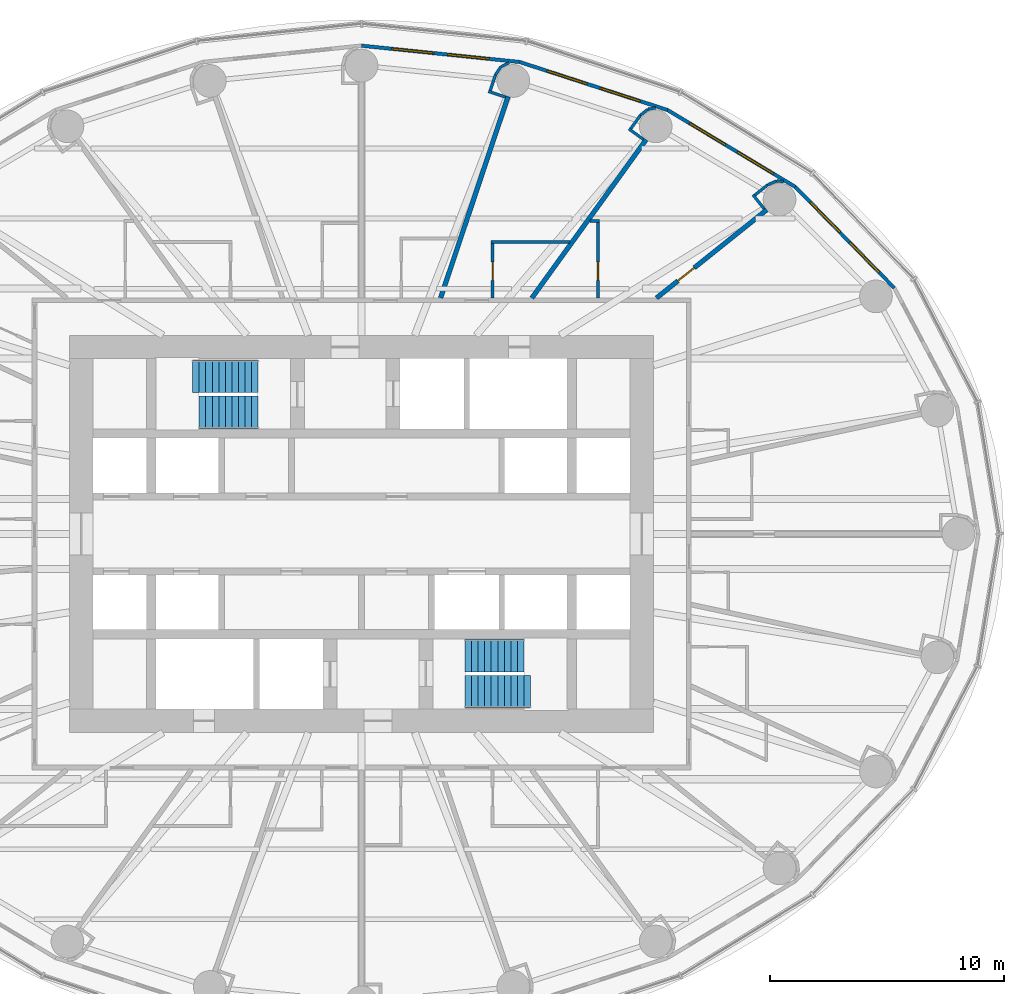
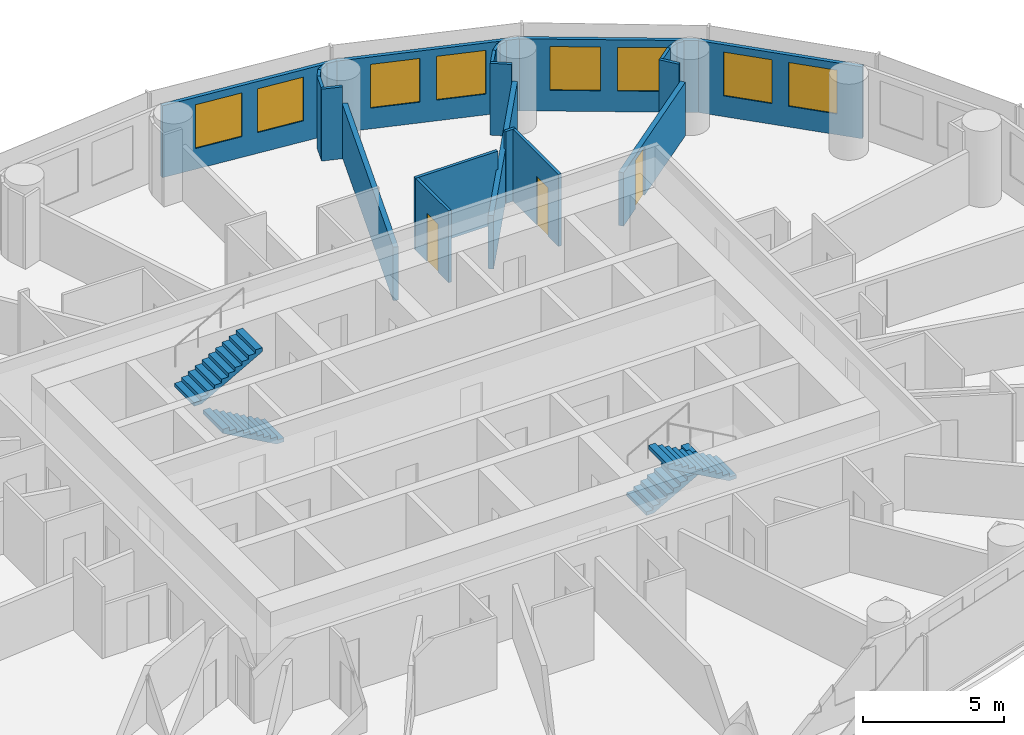
# One storey, part 13 of 14: 23 walls, 8 windows, 4 stair flights, 3 doors, 11 openings, 2 elements without a shape of their own.
"""IFC4 building model written with IfcOpenShell, lengths in metres."""

from ifc_helpers import new_model, si_unit, direction, frame, frame_2d, origin, place, context, subcontext, project, spatial, polyline, rectangle, outline, extrude, material, layer, layer_set, type_object, element, fill, aggregate, save


model = new_model("IFC4")

# Units and contexts
model_context = context("Model", 3, precision=1e-05, world=origin(), true_north=direction((0.0, 1.0)))
body_context = subcontext(model_context, "Body", "Model", "MODEL_VIEW")
ifc_project = project(units=[si_unit("LENGTHUNIT", "METRE"), si_unit("AREAUNIT", "SQUARE_METRE"), si_unit("VOLUMEUNIT", "CUBIC_METRE"), si_unit("PLANEANGLEUNIT", "RADIAN"), si_unit("MASSUNIT", "GRAM", prefix="KILO")], contexts=[model_context])

# Site, building, storey
site_placement = place(None, origin())
site = spatial("IfcSite", under=ifc_project, at=site_placement, CompositionType="ELEMENT")
building_placement = place(site_placement, origin())
building = spatial("IfcBuilding", under=site, at=building_placement, Name="Hankou Lantern Tower", CompositionType="ELEMENT")
storey_placement = place(building_placement, frame((0.0, 0.0, 67.199951171875)))
storey = spatial("IfcBuildingStorey", under=building, at=storey_placement, Name="L16", CompositionType="ELEMENT", Elevation=67.199951171875)

# Wall, openings, windows
ifc_material_1 = material(Name="Aluminium spandrel panel on steel studs", Category="steel")
ifc_layer_1 = layer(ifc_material_1, 0.14990234375)
ifc_layer_set_1 = layer_set([ifc_layer_1], Name="Aluminium spandrel panel on steel studs")
wall_type_1 = type_object("IfcWallType", Name="EW1 INNER SKIN WALL 150", PredefinedType="ELEMENTEDWALL", material=ifc_layer_set_1)
wall_1_placement = place(storey_placement, frame((22.802734375, 10.5322265625, 0.0), z_axis=(0.0, 0.0, 1.0), x_axis=(-0.699602905915, 0.714531856557, 0.0)))
wall_1 = element("IfcWall", 1, at=wall_1_placement, inside=storey, type_object=wall_type_1, Name="Inner skin R03-R04 L16", PredefinedType="ELEMENTEDWALL", context=body_context, shape_type="SweptSolid", body=[
    extrude(rectangle(XDim=6.05078125, YDim=0.14990234375, at=frame_2d((3.025390625, 0.0))), origin(), (0.0, 0.0, 1.0), 3.1201171875),
])
opening_1_placement = place(wall_1_placement, frame((0.925537109375, 0.0, 0.89990234375)))
opening_1 = element("IfcOpeningElement", 2, at=opening_1_placement, cuts=wall_1, Name="Opening W1", PredefinedType="OPENING", context=body_context, shape_type="SweptSolid", body=[
    extrude(rectangle(XDim=1.800048828125, YDim=1.89990234375, at=frame_2d((0.89990234375, 0.949951171875))), frame((0.0, 0.0849609375, 0.0), z_axis=(0.0, -1.0, 0.0), x_axis=(1.0, 0.0, 0.0)), (0.0, 0.0, 1.0), 0.169921875),
])
opening_2_placement = place(wall_1_placement, frame((3.325439453125, 0.0, 0.89990234375)))
opening_2 = element("IfcOpeningElement", 3, at=opening_2_placement, cuts=wall_1, Name="Opening W1", PredefinedType="OPENING", context=body_context, shape_type="SweptSolid", body=[
    extrude(rectangle(XDim=1.800048828125, YDim=1.89990234375, at=frame_2d((0.89990234375, 0.949951171875))), frame((0.0, 0.0849609375, 0.0), z_axis=(0.0, -1.0, 0.0), x_axis=(1.0, 0.0, 0.0)), (0.0, 0.0, 1.0), 0.169921875),
])
ifc_material_2 = material(Name="Aluminium framed double glazed window", Category="aluminium")
window_type = type_object("IfcWindowType", Name="W1 GUEST ROOM WINDOW 1800X1900", PartitioningType="DOUBLE_PANEL_VERTICAL", PredefinedType="WINDOW", material=ifc_material_2)
window_1_placement = place(opening_1_placement, origin())
window_1 = element("IfcWindow", 4, at=window_1_placement, inside=storey, type_object=window_type, Name="Window R03.1 L16", OverallHeight=1.89990234375, OverallWidth=1.800048828125, PartitioningType="SINGLE_PANEL", PredefinedType="WINDOW", context=body_context, shape_type="SweptSolid", body=[
    extrude(rectangle(XDim=1.800048828125, YDim=1.89990234375, at=frame_2d((0.89990234375, 0.949951171875))), frame((0.0, 0.030029296875, 0.0), z_axis=(0.0, -1.0, 0.0), x_axis=(1.0, 0.0, 0.0)), (0.0, 0.0, 1.0), 0.06005859375),
])
fill(opening_1, window_1)
window_2_placement = place(opening_2_placement, origin())
window_2 = element("IfcWindow", 5, at=window_2_placement, inside=storey, type_object=window_type, Name="Window R03.2 L16", OverallHeight=1.89990234375, OverallWidth=1.800048828125, PartitioningType="SINGLE_PANEL", PredefinedType="WINDOW", context=body_context, shape_type="SweptSolid", body=[
    extrude(rectangle(XDim=1.800048828125, YDim=1.89990234375, at=frame_2d((0.89990234375, 0.949951171875))), frame((0.0, 0.030029296875, 0.0), z_axis=(0.0, -1.0, 0.0), x_axis=(1.0, 0.0, 0.0)), (0.0, 0.0, 1.0), 0.06005859375),
])
fill(opening_2, window_2)

wall_2_placement = place(storey_placement, frame((18.569580078125, 14.855712890625, 0.0), z_axis=(0.0, 0.0, 1.0), x_axis=(-0.856983180864, 0.515344377787, 0.0)))
wall_2 = element("IfcWall", 6, at=wall_2_placement, inside=storey, type_object=wall_type_1, Name="Inner skin R04-R05 L16", PredefinedType="ELEMENTEDWALL", context=body_context, shape_type="SweptSolid", body=[
    extrude(rectangle(XDim=6.386474609375, YDim=0.14990234375, at=frame_2d((3.193359375, 0.0))), origin(), (0.0, 0.0, 1.0), 3.1201171875),
])
opening_3_placement = place(wall_2_placement, frame((1.09326171875, 0.0, 0.89990234375)))
opening_3 = element("IfcOpeningElement", 7, at=opening_3_placement, cuts=wall_2, Name="Opening W1", PredefinedType="OPENING", context=body_context, shape_type="SweptSolid", body=[
    extrude(rectangle(XDim=1.800048828125, YDim=1.89990234375, at=frame_2d((0.89990234375, 0.949951171875))), frame((0.0, 0.0849609375, 0.0), z_axis=(0.0, -1.0, 0.0), x_axis=(1.0, 0.0, 0.0)), (0.0, 0.0, 1.0), 0.169921875),
])
opening_4_placement = place(wall_2_placement, frame((3.4931640625, 0.0, 0.89990234375)))
opening_4 = element("IfcOpeningElement", 8, at=opening_4_placement, cuts=wall_2, Name="Opening W1", PredefinedType="OPENING", context=body_context, shape_type="SweptSolid", body=[
    extrude(rectangle(XDim=1.800048828125, YDim=1.89990234375, at=frame_2d((0.89990234375, 0.949951171875))), frame((0.0, 0.0849609375, 0.0), z_axis=(0.0, -1.0, 0.0), x_axis=(1.0, 0.0, 0.0)), (0.0, 0.0, 1.0), 0.169921875),
])
window_3_placement = place(opening_3_placement, origin())
window_3 = element("IfcWindow", 9, at=window_3_placement, inside=storey, type_object=window_type, Name="Window R04.1 L16", OverallHeight=1.89990234375, OverallWidth=1.800048828125, PartitioningType="SINGLE_PANEL", PredefinedType="WINDOW", context=body_context, shape_type="SweptSolid", body=[
    extrude(rectangle(XDim=1.800048828125, YDim=1.89990234375, at=frame_2d((0.89990234375, 0.949951171875))), frame((0.0, 0.030029296875, 0.0), z_axis=(0.0, -1.0, 0.0), x_axis=(1.0, 0.0, 0.0)), (0.0, 0.0, 1.0), 0.06005859375),
])
fill(opening_3, window_3)
window_4_placement = place(opening_4_placement, origin())
window_4 = element("IfcWindow", 10, at=window_4_placement, inside=storey, type_object=window_type, Name="Window R04.2 L16", OverallHeight=1.89990234375, OverallWidth=1.800048828125, PartitioningType="SINGLE_PANEL", PredefinedType="WINDOW", context=body_context, shape_type="SweptSolid", body=[
    extrude(rectangle(XDim=1.800048828125, YDim=1.89990234375, at=frame_2d((0.89990234375, 0.949951171875))), frame((0.0, 0.030029296875, 0.0), z_axis=(0.0, -1.0, 0.0), x_axis=(1.0, 0.0, 0.0)), (0.0, 0.0, 1.0), 0.06005859375),
])
fill(opening_4, window_4)

wall_3_placement = place(storey_placement, frame((13.096435546875, 18.14697265625, 0.0), z_axis=(0.0, 0.0, 1.0), x_axis=(-0.951137534625, 0.308767534285, 0.0)))
wall_3 = element("IfcWall", 11, at=wall_3_placement, inside=storey, type_object=wall_type_1, Name="Inner skin R05-R06 L16", PredefinedType="ELEMENTEDWALL", context=body_context, shape_type="SweptSolid", body=[
    extrude(rectangle(XDim=6.6552734375, YDim=0.14990234375, at=frame_2d((3.32763671875, 0.0))), origin(), (0.0, 0.0, 1.0), 3.1201171875),
])
opening_5_placement = place(wall_3_placement, frame((1.2275390625, 0.0, 0.89990234375)))
opening_5 = element("IfcOpeningElement", 12, at=opening_5_placement, cuts=wall_3, Name="Opening W1", PredefinedType="OPENING", context=body_context, shape_type="SweptSolid", body=[
    extrude(rectangle(XDim=1.800048828125, YDim=1.89990234375, at=frame_2d((0.89990234375, 0.949951171875))), frame((0.0, 0.0849609375, 0.0), z_axis=(0.0, -1.0, 0.0), x_axis=(1.0, 0.0, 0.0)), (0.0, 0.0, 1.0), 0.169921875),
])
opening_6_placement = place(wall_3_placement, frame((3.627685546875, 0.0, 0.89990234375)))
opening_6 = element("IfcOpeningElement", 13, at=opening_6_placement, cuts=wall_3, Name="Opening W1", PredefinedType="OPENING", context=body_context, shape_type="SweptSolid", body=[
    extrude(rectangle(XDim=1.800048828125, YDim=1.89990234375, at=frame_2d((0.89990234375, 0.949951171875))), frame((0.0, 0.0849609375, 0.0), z_axis=(0.0, -1.0, 0.0), x_axis=(1.0, 0.0, 0.0)), (0.0, 0.0, 1.0), 0.169921875),
])
window_5_placement = place(opening_5_placement, origin())
window_5 = element("IfcWindow", 14, at=window_5_placement, inside=storey, type_object=window_type, Name="Window R05.1 L16", OverallHeight=1.89990234375, OverallWidth=1.800048828125, PartitioningType="SINGLE_PANEL", PredefinedType="WINDOW", context=body_context, shape_type="SweptSolid", body=[
    extrude(rectangle(XDim=1.800048828125, YDim=1.89990234375, at=frame_2d((0.89990234375, 0.949951171875))), frame((0.0, 0.030029296875, 0.0), z_axis=(0.0, -1.0, 0.0), x_axis=(1.0, 0.0, 0.0)), (0.0, 0.0, 1.0), 0.06005859375),
])
fill(opening_5, window_5)
window_6_placement = place(opening_6_placement, origin())
window_6 = element("IfcWindow", 15, at=window_6_placement, inside=storey, type_object=window_type, Name="Window R05.2 L16", OverallHeight=1.89990234375, OverallWidth=1.800048828125, PartitioningType="SINGLE_PANEL", PredefinedType="WINDOW", context=body_context, shape_type="SweptSolid", body=[
    extrude(rectangle(XDim=1.800048828125, YDim=1.89990234375, at=frame_2d((0.89990234375, 0.949951171875))), frame((0.0, 0.030029296875, 0.0), z_axis=(0.0, -1.0, 0.0), x_axis=(1.0, 0.0, 0.0)), (0.0, 0.0, 1.0), 0.06005859375),
])
fill(opening_6, window_6)

wall_4_placement = place(storey_placement, frame((6.766357421875, 20.201904296875, 0.0), z_axis=(0.0, 0.0, 1.0), x_axis=(-0.994721394369, 0.102612609291, 0.0)))
wall_4 = element("IfcWall", 16, at=wall_4_placement, inside=storey, type_object=wall_type_1, Name="Inner skin R06-R07 L16", PredefinedType="ELEMENTEDWALL", context=body_context, shape_type="SweptSolid", body=[
    extrude(rectangle(XDim=6.80224609375, YDim=0.14990234375, at=frame_2d((3.401123046875, 0.0))), origin(), (0.0, 0.0, 1.0), 3.1201171875),
])
opening_7_placement = place(wall_4_placement, frame((1.301025390625, 0.0, 0.89990234375)))
opening_7 = element("IfcOpeningElement", 17, at=opening_7_placement, cuts=wall_4, Name="Opening W1", PredefinedType="OPENING", context=body_context, shape_type="SweptSolid", body=[
    extrude(rectangle(XDim=1.800048828125, YDim=1.89990234375, at=frame_2d((0.89990234375, 0.949951171875))), frame((0.0, 0.0849609375, 0.0), z_axis=(0.0, -1.0, 0.0), x_axis=(1.0, 0.0, 0.0)), (0.0, 0.0, 1.0), 0.169921875),
])
opening_8_placement = place(wall_4_placement, frame((3.701171875, 0.0, 0.89990234375)))
opening_8 = element("IfcOpeningElement", 18, at=opening_8_placement, cuts=wall_4, Name="Opening W1", PredefinedType="OPENING", context=body_context, shape_type="SweptSolid", body=[
    extrude(rectangle(XDim=1.800048828125, YDim=1.89990234375, at=frame_2d((0.89990234375, 0.949951171875))), frame((0.0, 0.0849609375, 0.0), z_axis=(0.0, -1.0, 0.0), x_axis=(1.0, 0.0, 0.0)), (0.0, 0.0, 1.0), 0.169921875),
])
window_7_placement = place(opening_7_placement, origin())
window_7 = element("IfcWindow", 19, at=window_7_placement, inside=storey, type_object=window_type, Name="Window R06.1 L16", OverallHeight=1.89990234375, OverallWidth=1.800048828125, PartitioningType="SINGLE_PANEL", PredefinedType="WINDOW", context=body_context, shape_type="SweptSolid", body=[
    extrude(rectangle(XDim=1.800048828125, YDim=1.89990234375, at=frame_2d((0.89990234375, 0.949951171875))), frame((0.0, 0.030029296875, 0.0), z_axis=(0.0, -1.0, 0.0), x_axis=(1.0, 0.0, 0.0)), (0.0, 0.0, 1.0), 0.06005859375),
])
fill(opening_7, window_7)
window_8_placement = place(opening_8_placement, origin())
window_8 = element("IfcWindow", 20, at=window_8_placement, inside=storey, type_object=window_type, Name="Window R06.2 L16", OverallHeight=1.89990234375, OverallWidth=1.800048828125, PartitioningType="SINGLE_PANEL", PredefinedType="WINDOW", context=body_context, shape_type="SweptSolid", body=[
    extrude(rectangle(XDim=1.800048828125, YDim=1.89990234375, at=frame_2d((0.89990234375, 0.949951171875))), frame((0.0, 0.030029296875, 0.0), z_axis=(0.0, -1.0, 0.0), x_axis=(1.0, 0.0, 0.0)), (0.0, 0.0, 1.0), 0.06005859375),
])
fill(opening_8, window_8)

# Walls
ifc_material_3 = material(Name="Masonry lightweight concrete block", Category="masonry")
ifc_layer_2 = layer(ifc_material_3, 0.199951171875)
ifc_layer_set_2 = layer_set([ifc_layer_2], Name="Masonry lightweight concrete block")
wall_type_2 = type_object("IfcWallType", Name="IW1 GUEST ROOM PARTY WALL 200", PredefinedType="PARTITIONING", material=ifc_layer_set_2)
wall_5_placement = place(storey_placement, frame((7.2890625, 10.10009765625, 0.0), z_axis=(0.0, 0.0, 1.0), x_axis=(0.585198353053, 0.810890182197, 0.0)))
element("IfcWall", 21, at=wall_5_placement, inside=storey, type_object=wall_type_2, Name="Party wall R05", PredefinedType="PARTITIONING", context=body_context, shape_type="SweptSolid", body=[
    extrude(rectangle(XDim=8.359619140625, YDim=0.199951171875, at=frame_2d((4.1796875, 0.0))), origin(), (0.0, 0.0, 1.0), 2.320068359375),
])
wall_6_placement = place(storey_placement, frame((3.3828125, 10.10009765625, 0.0), z_axis=(0.0, 0.0, 1.0), x_axis=(0.31759592231, 0.948226149256, 0.0)))
element("IfcWall", 22, at=wall_6_placement, inside=storey, type_object=wall_type_2, Name="Party wall R06", PredefinedType="PARTITIONING", context=body_context, shape_type="SweptSolid", body=[
    extrude(rectangle(XDim=9.098388671875, YDim=0.199951171875, at=frame_2d((4.54931640625, 0.0))), origin(), (0.0, 0.0, 1.0), 2.320068359375),
])
ifc_material_4 = material(Name="Masonry lightweight concrete block", Category="masonry")
ifc_layer_3 = layer(ifc_material_4, 0.1201171875)
ifc_layer_set_3 = layer_set([ifc_layer_3], Name="Masonry lightweight concrete block")
wall_type_3 = type_object("IfcWallType", Name="IW3 BATHROOM WALL 120", PredefinedType="PARTITIONING", material=ifc_layer_set_3)
wall_7_placement = place(storey_placement, frame((9.7705078125, 13.39990234375, 0.0), z_axis=(0.0, 0.0, 1.0), x_axis=(1.0, 0.0, 0.0)))
element("IfcWall", 23, at=wall_7_placement, inside=storey, type_object=wall_type_3, Name="Box wall 1604A 1", PredefinedType="PARTITIONING", context=body_context, shape_type="SweptSolid", body=[
    extrude(rectangle(XDim=0.408447265625, YDim=0.1201171875, at=frame_2d((0.2041015625, 0.0))), origin(), (0.0, 0.0, 1.0), 3.1201171875),
])

# Wall, opening, door
wall_8_placement = place(storey_placement, frame((10.119140625, 10.10009765625, 0.0), z_axis=(0.0, 0.0, 1.0), x_axis=(0.0, 1.0, 0.0)))
wall_8 = element("IfcWall", 24, at=wall_8_placement, inside=storey, type_object=wall_type_3, Name="Box wall 1604A 1", PredefinedType="PARTITIONING", context=body_context, shape_type="SweptSolid", body=[
    extrude(rectangle(XDim=3.239990234375, YDim=0.1201171875, at=frame_2d((1.6201171875, 0.0))), origin(), (0.0, 0.0, 1.0), 3.1201171875),
])
opening_9_placement = place(wall_8_placement, frame((0.75, 0.0, 0.0)))
opening_9 = element("IfcOpeningElement", 25, at=opening_9_placement, cuts=wall_8, Name="Opening D3", PredefinedType="OPENING", context=body_context, shape_type="SweptSolid", body=[
    extrude(rectangle(XDim=0.800048828125, YDim=2.10009765625, at=frame_2d((0.39990234375, 1.050048828125))), frame((0.0, 0.070068359375, 0.0), z_axis=(0.0, -1.0, 0.0), x_axis=(1.0, 0.0, 0.0)), (0.0, 0.0, 1.0), 0.14013671875),
])
ifc_material_5 = material(Name="Timber door leaf", Category="wood")
door_type_1 = type_object("IfcDoorType", Name="D3 BATHROOM DOOR 800X2100", OperationType="SINGLE_SWING_LEFT", PredefinedType="DOOR", material=ifc_material_5)
door_1_placement = place(opening_9_placement, origin())
door_1 = element("IfcDoor", 26, at=door_1_placement, inside=storey, type_object=door_type_1, Name="Corner suite 1604 bathroom door", OperationType="SINGLE_SWING_LEFT", OverallHeight=2.10009765625, OverallWidth=0.800048828125, PredefinedType="DOOR", context=body_context, shape_type="SweptSolid", body=[
    extrude(rectangle(XDim=0.800048828125, YDim=2.10009765625, at=frame_2d((0.39990234375, 1.050048828125))), frame((0.0, 0.02490234375, 0.0), z_axis=(0.0, -1.0, 0.0), x_axis=(1.0, 0.0, 0.0)), (0.0, 0.0, 1.0), 0.050048828125),
])
fill(opening_9, door_1)

# Wall
wall_9_placement = place(storey_placement, frame((8.921142578125, 12.5, 0.0), z_axis=(0.0, 0.0, 1.0), x_axis=(-1.0, 0.0, 0.0)))
element("IfcWall", 27, at=wall_9_placement, inside=storey, type_object=wall_type_3, Name="Box wall 1605 1", PredefinedType="PARTITIONING", context=body_context, shape_type="SweptSolid", body=[
    extrude(rectangle(XDim=3.3720703125, YDim=0.1201171875, at=frame_2d((1.68603515625, 0.0))), origin(), (0.0, 0.0, 1.0), 3.1201171875),
])

# Wall, opening, door
wall_10_placement = place(storey_placement, frame((5.609130859375, 10.10009765625, 0.0), z_axis=(0.0, 0.0, 1.0), x_axis=(0.0, 1.0, 0.0)))
wall_10 = element("IfcWall", 28, at=wall_10_placement, inside=storey, type_object=wall_type_3, Name="Box wall 1605 1", PredefinedType="PARTITIONING", context=body_context, shape_type="SweptSolid", body=[
    extrude(rectangle(XDim=2.33984375, YDim=0.1201171875, at=frame_2d((1.169921875, 0.0))), origin(), (0.0, 0.0, 1.0), 3.1201171875),
])
opening_10_placement = place(wall_10_placement, frame((0.75, 0.0, 0.0)))
opening_10 = element("IfcOpeningElement", 29, at=opening_10_placement, cuts=wall_10, Name="Opening D3", PredefinedType="OPENING", context=body_context, shape_type="SweptSolid", body=[
    extrude(rectangle(XDim=0.800048828125, YDim=2.10009765625, at=frame_2d((0.39990234375, 1.050048828125))), frame((0.0, 0.070068359375, 0.0), z_axis=(0.0, -1.0, 0.0), x_axis=(1.0, 0.0, 0.0)), (0.0, 0.0, 1.0), 0.14013671875),
])
door_2_placement = place(opening_10_placement, origin())
door_2 = element("IfcDoor", 30, at=door_2_placement, inside=storey, type_object=door_type_1, Name="En-suite bathroom 1605 door", OperationType="SINGLE_SWING_LEFT", OverallHeight=2.10009765625, OverallWidth=0.800048828125, PredefinedType="DOOR", context=body_context, shape_type="SweptSolid", body=[
    extrude(rectangle(XDim=0.800048828125, YDim=2.10009765625, at=frame_2d((0.39990234375, 1.050048828125))), frame((0.0, 0.02490234375, 0.0), z_axis=(0.0, -1.0, 0.0), x_axis=(1.0, 0.0, 0.0)), (0.0, 0.0, 1.0), 0.050048828125),
])
fill(opening_10, door_2)

# Walls
ifc_material_6 = material(Name="Masonry lightweight concrete block", Category="masonry")
ifc_layer_4 = layer(ifc_material_6, 0.1201171875)
ifc_layer_set_4 = layer_set([ifc_layer_4], Name="Masonry lightweight concrete block")
wall_type_4 = type_object("IfcWallType", Name="IW4 PARTITION 120", PredefinedType="PARTITIONING", material=ifc_layer_set_4)
wall_11_placement = place(storey_placement, frame((17.23583984375, 13.916748046875, 0.0), z_axis=(0.0, 0.0, 1.0), x_axis=(-0.624695047554, 0.780868809443, 0.0)))
element("IfcWall", 31, at=wall_11_placement, inside=storey, type_object=wall_type_4, Name="Column casing R04 return", PredefinedType="PARTITIONING", context=body_context, shape_type="SweptSolid", body=[
    extrude(rectangle(XDim=0.767578125, YDim=0.1201171875, at=frame_2d((0.3837890625, 0.0))), origin(), (0.0, 0.0, 1.0), 3.1201171875),
])
wall_12_placement = place(storey_placement, frame((16.840576171875, 14.506591796875, 0.0), z_axis=(0.0, 0.0, 1.0), x_axis=(0.780902834923, 0.62465251333, 0.0)))
element("IfcWall", 32, at=wall_12_placement, inside=storey, type_object=wall_type_4, Name="Column casing R04", PredefinedType="PARTITIONING", context=body_context, shape_type="SweptSolid", body=[
    extrude(rectangle(XDim=0.699951171875, YDim=0.1201171875, at=frame_2d((0.35009765625, 0.0))), origin(), (0.0, 0.0, 1.0), 3.1201171875),
])
wall_13_placement = place(storey_placement, frame((17.38720703125, 14.94384765625, 0.0), z_axis=(0.0, 0.0, 1.0), x_axis=(0.916036698064, 0.401094462441, 0.0)))
element("IfcWall", 33, at=wall_13_placement, inside=storey, type_object=wall_type_4, Name="Column casing R04", PredefinedType="PARTITIONING", context=body_context, shape_type="SweptSolid", body=[
    extrude(rectangle(XDim=0.418212890625, YDim=0.1201171875, at=frame_2d((0.208984375, 0.0))), origin(), (0.0, 0.0, 1.0), 3.1201171875),
])
wall_14_placement = place(storey_placement, frame((17.770263671875, 15.111572265625, 0.0), z_axis=(0.0, 0.0, 1.0), x_axis=(0.993904401174, -0.110245368731, 0.0)))
element("IfcWall", 34, at=wall_14_placement, inside=storey, type_object=wall_type_4, Name="Column casing R04", PredefinedType="PARTITIONING", context=body_context, shape_type="SweptSolid", body=[
    extrude(rectangle(XDim=0.287841796875, YDim=0.1201171875, at=frame_2d((0.14404296875, 0.0))), origin(), (0.0, 0.0, 1.0), 3.1201171875),
])
wall_15_placement = place(storey_placement, frame((12.06494140625, 16.888671875, 0.0), z_axis=(0.0, 0.0, 1.0), x_axis=(-0.810821798253, 0.585293098778, 0.0)))
element("IfcWall", 35, at=wall_15_placement, inside=storey, type_object=wall_type_4, Name="Column casing R05 return", PredefinedType="PARTITIONING", context=body_context, shape_type="SweptSolid", body=[
    extrude(rectangle(XDim=0.767578125, YDim=0.1201171875, at=frame_2d((0.3837890625, 0.0))), origin(), (0.0, 0.0, 1.0), 3.1201171875),
])
wall_16_placement = place(storey_placement, frame((11.5263671875, 17.351318359375, 0.0), z_axis=(0.0, 0.0, 1.0), x_axis=(0.585223113993, 0.810872312296, 0.0)))
element("IfcWall", 36, at=wall_16_placement, inside=storey, type_object=wall_type_4, Name="Column casing R05", PredefinedType="PARTITIONING", context=body_context, shape_type="SweptSolid", body=[
    extrude(rectangle(XDim=0.699951171875, YDim=0.1201171875, at=frame_2d((0.35009765625, 0.0))), origin(), (0.0, 0.0, 1.0), 3.1201171875),
])
wall_17_placement = place(storey_placement, frame((11.93603515625, 17.9189453125, 0.0), z_axis=(0.0, 0.0, 1.0), x_axis=(0.775023088441, 0.631932917629, 0.0)))
element("IfcWall", 37, at=wall_17_placement, inside=storey, type_object=wall_type_4, Name="Column casing R05", PredefinedType="PARTITIONING", context=body_context, shape_type="SweptSolid", body=[
    extrude(rectangle(XDim=0.41796875, YDim=0.1201171875, at=frame_2d((0.208984375, 0.0))), origin(), (0.0, 0.0, 1.0), 3.1201171875),
])
wall_18_placement = place(storey_placement, frame((12.260009765625, 18.18310546875, 0.0), z_axis=(0.0, 0.0, 1.0), x_axis=(0.987218661664, 0.159371622511, 0.0)))
element("IfcWall", 38, at=wall_18_placement, inside=storey, type_object=wall_type_4, Name="Column casing R05", PredefinedType="PARTITIONING", context=body_context, shape_type="SweptSolid", body=[
    extrude(rectangle(XDim=0.330810546875, YDim=0.1201171875, at=frame_2d((0.16552734375, 0.0))), origin(), (0.0, 0.0, 1.0), 3.1201171875),
])
wall_19_placement = place(storey_placement, frame((6.15869140625, 18.702392578125, 0.0), z_axis=(0.0, 0.0, 1.0), x_axis=(-0.948173154049, 0.31775410295, 0.0)))
element("IfcWall", 39, at=wall_19_placement, inside=storey, type_object=wall_type_4, Name="Column casing R06 return", PredefinedType="PARTITIONING", context=body_context, shape_type="SweptSolid", body=[
    extrude(rectangle(XDim=0.767578125, YDim=0.1201171875, at=frame_2d((0.3837890625, 0.0))), origin(), (0.0, 0.0, 1.0), 3.1201171875),
])
wall_20_placement = place(storey_placement, frame((5.5068359375, 18.984130859375, 0.0), z_axis=(0.0, 0.0, 1.0), x_axis=(0.317692050622, 0.948193946918, 0.0)))
element("IfcWall", 40, at=wall_20_placement, inside=storey, type_object=wall_type_4, Name="Column casing R06", PredefinedType="PARTITIONING", context=body_context, shape_type="SweptSolid", body=[
    extrude(rectangle(XDim=0.7001953125, YDim=0.1201171875, at=frame_2d((0.35009765625, 0.0))), origin(), (0.0, 0.0, 1.0), 3.1201171875),
])
wall_21_placement = place(storey_placement, frame((5.729248046875, 19.64794921875, 0.0), z_axis=(0.0, 0.0, 1.0), x_axis=(0.552135764955, 0.833754218615, 0.0)))
element("IfcWall", 41, at=wall_21_placement, inside=storey, type_object=wall_type_4, Name="Column casing R06", PredefinedType="PARTITIONING", context=body_context, shape_type="SweptSolid", body=[
    extrude(rectangle(XDim=0.41796875, YDim=0.1201171875, at=frame_2d((0.208984375, 0.0))), origin(), (0.0, 0.0, 1.0), 3.1201171875),
])
wall_22_placement = place(storey_placement, frame((5.9599609375, 19.996337890625, 0.0), z_axis=(0.0, 0.0, 1.0), x_axis=(0.895160725913, 0.445743507842, 0.0)))
element("IfcWall", 42, at=wall_22_placement, inside=storey, type_object=wall_type_4, Name="Column casing R06", PredefinedType="PARTITIONING", context=body_context, shape_type="SweptSolid", body=[
    extrude(rectangle(XDim=0.398681640625, YDim=0.1201171875, at=frame_2d((0.19921875, 0.0))), origin(), (0.0, 0.0, 1.0), 3.1201171875),
])

# Wall, opening, door
ifc_material_7 = material(Name="Masonry lightweight concrete block", Category="masonry")
ifc_layer_5 = layer(ifc_material_7, 0.199951171875)
ifc_layer_set_5 = layer_set([ifc_layer_5], Name="Masonry lightweight concrete block")
wall_type_5 = type_object("IfcWallType", Name="IW6 SUITE PARTITION 200", PredefinedType="PARTITIONING", material=ifc_layer_set_5)
wall_23_placement = place(storey_placement, frame((12.625, 10.10009765625, 0.0), z_axis=(0.0, 0.0, 1.0), x_axis=(0.780892451574, 0.624665493744, 0.0)))
wall_23 = element("IfcWall", 43, at=wall_23_placement, inside=storey, type_object=wall_type_5, Name="Suite partition R04", PredefinedType="PARTITIONING", context=body_context, shape_type="SweptSolid", body=[
    extrude(rectangle(XDim=6.044677734375, YDim=0.199951171875, at=frame_2d((3.0224609375, 0.0))), origin(), (0.0, 0.0, 1.0), 2.320068359375),
])
opening_11_placement = place(wall_23_placement, frame((1.169921875, 0.0, 0.0)))
opening_11 = element("IfcOpeningElement", 44, at=opening_11_placement, cuts=wall_23, Name="Opening D27", PredefinedType="OPENING", context=body_context, shape_type="SweptSolid", body=[
    extrude(rectangle(XDim=0.89990234375, YDim=2.10009765625, at=frame_2d((0.449951171875, 1.050048828125))), frame((0.0, 0.10986328125, 0.0), z_axis=(0.0, -1.0, 0.0), x_axis=(1.0, 0.0, 0.0)), (0.0, 0.0, 1.0), 0.219970703125),
])
ifc_material_8 = material(Name="Timber door leaf", Category="wood")
door_type_2 = type_object("IfcDoorType", Name="D27 INTERNAL DOOR 900X2100", OperationType="SINGLE_SWING_LEFT", PredefinedType="DOOR", material=ifc_material_8)
door_3_placement = place(opening_11_placement, origin())
door_3 = element("IfcDoor", 45, at=door_3_placement, inside=storey, type_object=door_type_2, Name="Corner suite 1604 bedroom door", OperationType="SINGLE_SWING_RIGHT", OverallHeight=2.10009765625, OverallWidth=0.89990234375, PredefinedType="DOOR", context=body_context, shape_type="SweptSolid", body=[
    extrude(rectangle(XDim=0.89990234375, YDim=2.10009765625, at=frame_2d((0.449951171875, 1.050048828125))), frame((0.0, 0.02490234375, 0.0), z_axis=(0.0, -1.0, 0.0), x_axis=(1.0, 0.0, 0.0)), (0.0, 0.0, 1.0), 0.050048828125),
])
fill(opening_11, door_3)

# Stair, stair flight
ifc_material_9 = material(Name="Concrete C40", Category="concrete")
stair_type = type_object("IfcStairType", Name="ST33 CORE STAIR 3300 RISE", PredefinedType="HALF_TURN_STAIR", material=ifc_material_9)
stair_1_placement = place(storey_placement, origin())
stair_1 = element("IfcStair", 46, at=stair_1_placement, inside=storey, type_object=stair_type, Name="Stair STA L16", PredefinedType="HALF_TURN_STAIR")
ifc_material_10 = material(Name="Concrete C40", Category="concrete")
stair_flight_type_1 = type_object("IfcStairFlightType", Name="CF10 CORE STAIR FLIGHT 1400 X 10 RISERS", PredefinedType="STRAIGHT", material=ifc_material_10)
stair_flight_1_placement = place(storey_placement, frame((-4.429931640625, 5.199951171875, 0.0), z_axis=(0.0, 0.0, 1.0), x_axis=(-1.0, 0.0, 0.0)))
stair_flight_1 = element("IfcStairFlight", 47, at=stair_flight_1_placement, type_object=stair_flight_type_1, Name="STA flight 1", NumberOfRisers=10, NumberOfTreads=9, PredefinedType="STRAIGHT", RiserHeight=0.157142857, TreadLength=0.28, context=body_context, shape_type="SweptSolid", body=[
    extrude(outline(polyline([(0.0, 0.0), (0.0, 0.1572265625), (0.280029296875, 0.1572265625), (0.280029296875, 0.314208984375), (0.56005859375, 0.314208984375), (0.56005859375, 0.471435546875), (0.840087890625, 0.471435546875), (0.840087890625, 0.628662109375), (1.1201171875, 0.628662109375), (1.1201171875, 0.78564453125), (1.39990234375, 0.78564453125), (1.39990234375, 0.94287109375), (1.679931640625, 0.94287109375), (1.679931640625, 1.10009765625), (1.9599609375, 1.10009765625), (1.9599609375, 1.257080078125), (2.239990234375, 1.257080078125), (2.239990234375, 1.414306640625), (2.52001953125, 1.414306640625), (2.52001953125, 1.571533203125), (2.52001953125, 1.242431640625), (0.306396484375, 0.0), (0.0, 0.0)])), frame((0.0, 0.699951171875, 0.0), z_axis=(0.0, -1.0, 0.0), x_axis=(1.0, 0.0, 0.0)), (0.0, 0.0, 1.0), 1.39990234375),
])

stair_2_placement = place(storey_placement, origin())
stair_2 = element("IfcStair", 48, at=stair_2_placement, inside=storey, type_object=stair_type, Name="Stair STB L16", PredefinedType="HALF_TURN_STAIR")
stair_flight_2_placement = place(storey_placement, frame((4.429931640625, -5.199951171875, 0.0), z_axis=(0.0, 0.0, 1.0), x_axis=(1.0, 0.0, 0.0)))
stair_flight_2 = element("IfcStairFlight", 49, at=stair_flight_2_placement, type_object=stair_flight_type_1, Name="STB flight 1", NumberOfRisers=10, NumberOfTreads=9, PredefinedType="STRAIGHT", RiserHeight=0.157142857, TreadLength=0.28, context=body_context, shape_type="SweptSolid", body=[
    extrude(outline(polyline([(0.0, 0.0), (0.0, 0.1572265625), (0.280029296875, 0.1572265625), (0.280029296875, 0.314208984375), (0.56005859375, 0.314208984375), (0.56005859375, 0.471435546875), (0.840087890625, 0.471435546875), (0.840087890625, 0.628662109375), (1.1201171875, 0.628662109375), (1.1201171875, 0.78564453125), (1.39990234375, 0.78564453125), (1.39990234375, 0.94287109375), (1.679931640625, 0.94287109375), (1.679931640625, 1.10009765625), (1.9599609375, 1.10009765625), (1.9599609375, 1.257080078125), (2.239990234375, 1.257080078125), (2.239990234375, 1.414306640625), (2.52001953125, 1.414306640625), (2.52001953125, 1.571533203125), (2.52001953125, 1.242431640625), (0.306396484375, 0.0), (0.0, 0.0)])), frame((0.0, 0.699951171875, 0.0), z_axis=(0.0, -1.0, 0.0), x_axis=(1.0, 0.0, 0.0)), (0.0, 0.0, 1.0), 1.39990234375),
])

# Stair flight
ifc_material_11 = material(Name="Concrete C40", Category="concrete")
stair_flight_type_2 = type_object("IfcStairFlightType", Name="CF11 CORE STAIR FLIGHT 1400 X 11 RISERS", PredefinedType="STRAIGHT", material=ifc_material_11)
stair_flight_3_placement = place(storey_placement, frame((-7.22998046875, 6.75, 1.571533203125), z_axis=(0.0, 0.0, 1.0), x_axis=(1.0, 0.0, 0.0)))
stair_flight_3 = element("IfcStairFlight", 50, at=stair_flight_3_placement, type_object=stair_flight_type_2, Name="STA flight 2", NumberOfRisers=11, NumberOfTreads=10, PredefinedType="STRAIGHT", RiserHeight=0.157142857, TreadLength=0.28, context=body_context, shape_type="SweptSolid", body=[
    extrude(outline(polyline([(0.0, 0.0), (0.0, 0.1572265625), (0.280029296875, 0.1572265625), (0.280029296875, 0.314208984375), (0.56005859375, 0.314208984375), (0.56005859375, 0.471435546875), (0.840087890625, 0.471435546875), (0.840087890625, 0.628662109375), (1.1201171875, 0.628662109375), (1.1201171875, 0.78564453125), (1.39990234375, 0.78564453125), (1.39990234375, 0.94287109375), (1.679931640625, 0.94287109375), (1.679931640625, 1.10009765625), (1.9599609375, 1.10009765625), (1.9599609375, 1.257080078125), (2.239990234375, 1.257080078125), (2.239990234375, 1.414306640625), (2.52001953125, 1.414306640625), (2.52001953125, 1.571533203125), (2.800048828125, 1.571533203125), (2.800048828125, 1.728515625), (2.800048828125, 1.3994140625), (0.306396484375, 0.0), (0.0, 0.0)])), frame((0.0, 0.699951171875, 0.0), z_axis=(0.0, -1.0, 0.0), x_axis=(1.0, 0.0, 0.0)), (0.0, 0.0, 1.0), 1.39990234375),
])

aggregate(stair_1, [stair_flight_1, stair_flight_3])

stair_flight_4_placement = place(storey_placement, frame((7.22998046875, -6.75, 1.571533203125), z_axis=(0.0, 0.0, 1.0), x_axis=(-1.0, 0.0, 0.0)))
stair_flight_4 = element("IfcStairFlight", 51, at=stair_flight_4_placement, type_object=stair_flight_type_2, Name="STB flight 2", NumberOfRisers=11, NumberOfTreads=10, PredefinedType="STRAIGHT", RiserHeight=0.157142857, TreadLength=0.28, context=body_context, shape_type="SweptSolid", body=[
    extrude(outline(polyline([(0.0, 0.0), (0.0, 0.1572265625), (0.280029296875, 0.1572265625), (0.280029296875, 0.314208984375), (0.56005859375, 0.314208984375), (0.56005859375, 0.471435546875), (0.840087890625, 0.471435546875), (0.840087890625, 0.628662109375), (1.1201171875, 0.628662109375), (1.1201171875, 0.78564453125), (1.39990234375, 0.78564453125), (1.39990234375, 0.94287109375), (1.679931640625, 0.94287109375), (1.679931640625, 1.10009765625), (1.9599609375, 1.10009765625), (1.9599609375, 1.257080078125), (2.239990234375, 1.257080078125), (2.239990234375, 1.414306640625), (2.52001953125, 1.414306640625), (2.52001953125, 1.571533203125), (2.800048828125, 1.571533203125), (2.800048828125, 1.728515625), (2.800048828125, 1.3994140625), (0.306396484375, 0.0), (0.0, 0.0)])), frame((0.0, 0.699951171875, 0.0), z_axis=(0.0, -1.0, 0.0), x_axis=(1.0, 0.0, 0.0)), (0.0, 0.0, 1.0), 1.39990234375),
])

aggregate(stair_2, [stair_flight_2, stair_flight_4])

save(model, "model.ifc")
